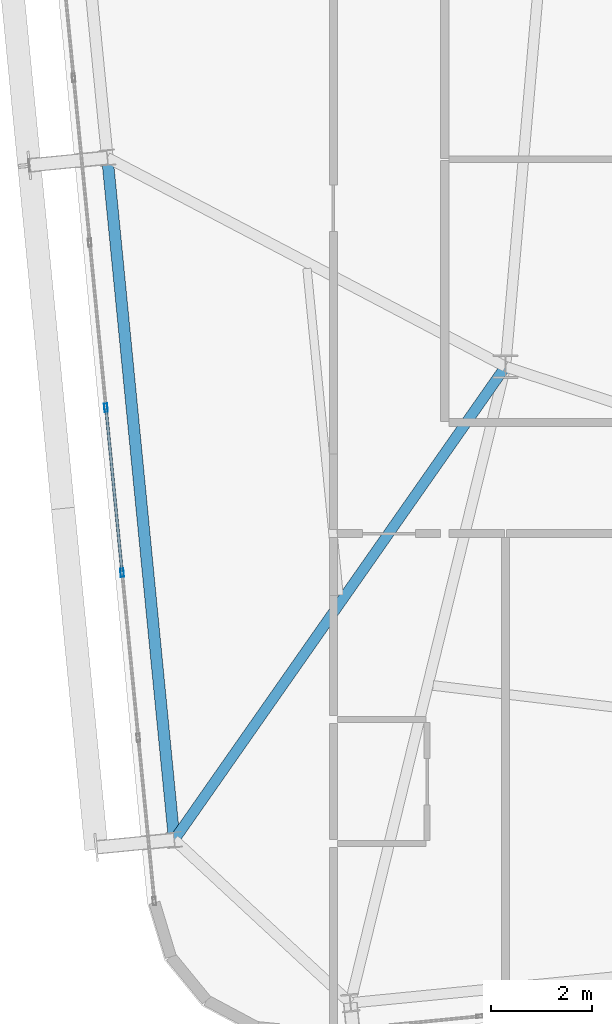
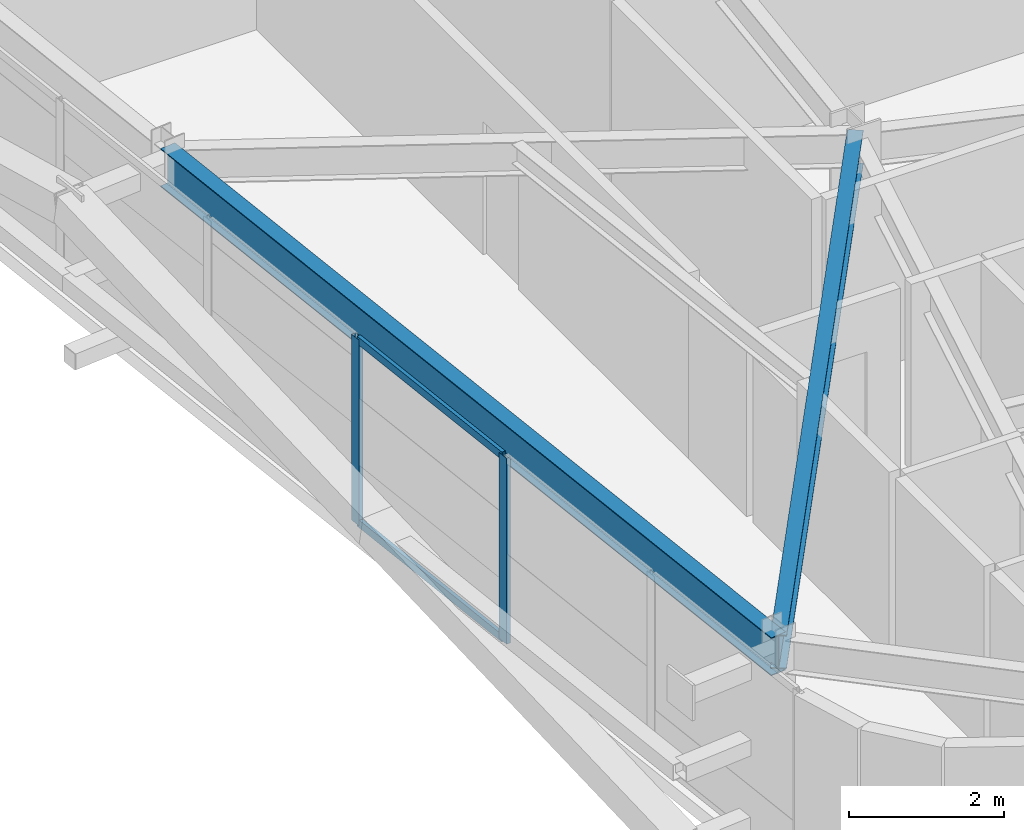
# One storey, part 8 of 52: 4 members, 2 beams, 1 element without a shape of its own.
"""IFC4 building model written with IfcOpenShell, lengths in metres."""

from ifc_helpers import new_model, si_unit, direction, frame, origin, origin_2d, place, context, subcontext, project, spatial, hollow_rectangle, i_section, extrude, source, transform, mapped, material, layer, layer_set, material_profile, profile_set, type_object, element, aggregate, save


model = new_model("IFC4")

# Units and contexts
model_context = context("Model", 3, precision=1e-05, world=origin(), true_north=direction((0.0, 1.0)))
body_context = subcontext(model_context, "Body", "Model", "MODEL_VIEW")
ifc_project = project(units=[si_unit("LENGTHUNIT", "METRE"), si_unit("AREAUNIT", "SQUARE_METRE"), si_unit("VOLUMEUNIT", "CUBIC_METRE"), si_unit("PLANEANGLEUNIT", "RADIAN"), si_unit("MASSUNIT", "GRAM", prefix="KILO")], contexts=[model_context])

# Site, building, storey
site_placement = place(None, origin())
site = spatial("IfcSite", under=ifc_project, at=site_placement, CompositionType="ELEMENT")
building_placement = place(site_placement, origin())
building = spatial("IfcBuilding", under=site, at=building_placement, Name="Taldren Reach Tower", CompositionType="ELEMENT")
storey_placement = place(building_placement, frame((0.0, 0.0, 74.550048828125)))
storey = spatial("IfcBuildingStorey", under=building, at=storey_placement, Name="L22", CompositionType="ELEMENT", Elevation=74.550048828125)

# Beams
ifc_material_1 = material(Name="Steel Gr 350 (350PLUS)", Category="steel")
ifc_material_profile_1 = material_profile(ifc_material_1, i_section(OverallWidth=0.22802734375, OverallDepth=0.60205078125, WebThickness=0.010498046875, FlangeThickness=0.014892578125, at=origin_2d()), Name="610UB101")
ifc_profile_set_1 = profile_set([ifc_material_profile_1], Name="Steel Gr 350 (350PLUS)")
beam_type_1 = type_object("IfcBeamType", Name="BM-UB610B", PredefinedType="BEAM", material=ifc_profile_set_1)
shared_shape_1 = source(origin(), body_context, "Body", "SweptSolid", [
    extrude(i_section(OverallWidth=0.22802734375, OverallDepth=0.60205078125, WebThickness=0.010498046875, FlangeThickness=0.014892578125, at=origin_2d()), origin(), (0.0, 0.0, 1.0), 13.550048828125),
])
beam_1_placement = place(storey_placement, frame((10.130615234375, 16.631103515625, 2.62890625), z_axis=(0.097584021339, -0.995227290009, 0.0), x_axis=(0.995227290009, 0.097584021339, 0.0)))
element("IfcBeam", 1, at=beam_1_placement, inside=storey, type_object=beam_type_1, Name="Perimeter gable girder B2 W2-W1 L22", PredefinedType="BEAM", context=body_context, shape_type="MappedRepresentation", body=[
    mapped(shared_shape_1, transform((0.0, 0.0, 0.0), scale=1.0)),
])
ifc_material_profile_2 = material_profile(ifc_material_1, i_section(OverallWidth=0.208984375, OverallDepth=0.532958984375, WebThickness=0.01025390625, FlangeThickness=0.015625, at=origin_2d()), Name="530UB92.4")
ifc_profile_set_2 = profile_set([ifc_material_profile_2], Name="Steel Gr 350 (350PLUS)")
beam_type_2 = type_object("IfcBeamType", Name="BM-UB530A", PredefinedType="BEAM", material=ifc_profile_set_2)
shared_shape_2 = source(origin(), body_context, "Body", "SweptSolid", [
    extrude(i_section(OverallWidth=0.208984375, OverallDepth=0.532958984375, WebThickness=0.01025390625, FlangeThickness=0.015625, at=origin_2d()), origin(), (0.0, 0.0, 1.0), 11.417724609375),
])
beam_2_placement = place(storey_placement, frame((18.0, 12.5, 2.663330078125), z_axis=(-0.573412116146, -0.819267077977, 0.0), x_axis=(0.819267077977, -0.573412116146, 0.0)))
element("IfcBeam", 2, at=beam_2_placement, inside=storey, type_object=beam_type_2, Name="Primary floor girder B2-W1 L22", PredefinedType="BEAM", context=body_context, shape_type="MappedRepresentation", body=[
    mapped(shared_shape_2, transform((0.0, 0.0, 0.0), scale=1.0)),
])

# Curtain wall, members
ifc_material_2 = material(Name="Aluminium and Low-E Glass Unitised System", Category="aluminium")
ifc_layer = layer(ifc_material_2, 0.159912109375)
ifc_layer_set = layer_set([ifc_layer], Name="Aluminium and Low-E Glass Unitised System")
curtain_wall_type = type_object("IfcCurtainWallType", Name="CW-SYS-3", PredefinedType="NOTDEFINED", material=ifc_layer_set)
curtain_wall_placement = place(storey_placement, origin())
curtain_wall = element("IfcCurtainWall", 3, at=curtain_wall_placement, inside=storey, type_object=curtain_wall_type, Name="Unitised curtain wall CW-L22-W", PredefinedType="NOTDEFINED")
ifc_material_3 = material(Name="Anodised Aluminium 6063-T6", Category="aluminium")
ifc_material_profile_3 = material_profile(ifc_material_3, hollow_rectangle(XDim=0.06494140625, YDim=0.1650390625, WallThickness=0.00390625, at=origin_2d()), Name="ALU-165x65x4RHS")
ifc_profile_set_3 = profile_set([ifc_material_profile_3], Name="Anodised Aluminium 6063-T6")
member_type_1 = type_object("IfcMemberType", Name="CW-MUL-165", PredefinedType="MULLION", material=ifc_profile_set_3)
shared_shape_3 = source(origin(), body_context, "Body", "SweptSolid", [
    extrude(hollow_rectangle(XDim=0.06494140625, YDim=0.1650390625, WallThickness=0.00390625, at=origin_2d()), origin(), (0.0, 0.0, 1.0), 2.929931640625),
])
member_1_placement = place(storey_placement, frame((10.102783203125, 11.688232421875, 0.0), z_axis=(0.0, 0.0, 1.0), x_axis=(0.99522741555, 0.09758274098, 0.0)))
member_1 = element("IfcMember", 4, at=member_1_placement, type_object=member_type_1, Name="CW-3 mullion 7", PredefinedType="MULLION", context=body_context, shape_type="MappedRepresentation", body=[
    mapped(shared_shape_3, transform((0.0, 0.0, 0.0), scale=1.0)),
])
member_2_placement = place(storey_placement, frame((10.422607421875, 8.426025390625, 0.0), z_axis=(0.0, 0.0, 1.0), x_axis=(0.99522741555, 0.09758274098, 0.0)))
member_2 = element("IfcMember", 5, at=member_2_placement, type_object=member_type_1, Name="CW-3 mullion 8", PredefinedType="MULLION", context=body_context, shape_type="MappedRepresentation", body=[
    mapped(shared_shape_3, transform((0.0, 0.0, 0.0), scale=1.0)),
])
ifc_material_profile_4 = material_profile(ifc_material_3, hollow_rectangle(XDim=0.054931640625, YDim=0.1201171875, WallThickness=0.0029296875, at=origin_2d()), Name="ALU-120x55x3RHS")
ifc_profile_set_4 = profile_set([ifc_material_profile_4], Name="Anodised Aluminium 6063-T6")
member_type_2 = type_object("IfcMemberType", Name="CW-TRN-135", PredefinedType="USERDEFINED", material=ifc_profile_set_4)
shared_shape_4 = source(origin(), body_context, "Body", "SweptSolid", [
    extrude(hollow_rectangle(XDim=0.054931640625, YDim=0.1201171875, WallThickness=0.0029296875, at=origin_2d()), origin(), (0.0, 0.0, 1.0), 3.212890625),
])
member_3_placement = place(storey_placement, frame((10.10595703125, 11.65576171875, 0.02734375), z_axis=(0.097569948235, -0.995228669805, 0.0), x_axis=(0.995228669805, 0.097569948235, 0.0)))
member_3 = element("IfcMember", 6, at=member_3_placement, type_object=member_type_2, Name="CW-3 transom 7.1", ObjectType="TRANSOM", PredefinedType="USERDEFINED", context=body_context, shape_type="MappedRepresentation", body=[
    mapped(shared_shape_4, transform((0.0, 0.0, 0.0), scale=1.0)),
])
member_4_placement = place(storey_placement, frame((10.10595703125, 11.65576171875, 2.90234375), z_axis=(0.097569948235, -0.995228669805, 0.0), x_axis=(0.995228669805, 0.097569948235, 0.0)))
member_4 = element("IfcMember", 7, at=member_4_placement, type_object=member_type_2, Name="CW-3 transom 7.2", ObjectType="TRANSOM", PredefinedType="USERDEFINED", context=body_context, shape_type="MappedRepresentation", body=[
    mapped(shared_shape_4, transform((0.0, 0.0, 0.0), scale=1.0)),
])
aggregate(curtain_wall, [member_1, member_2, member_3, member_4])

save(model, "model.ifc")
